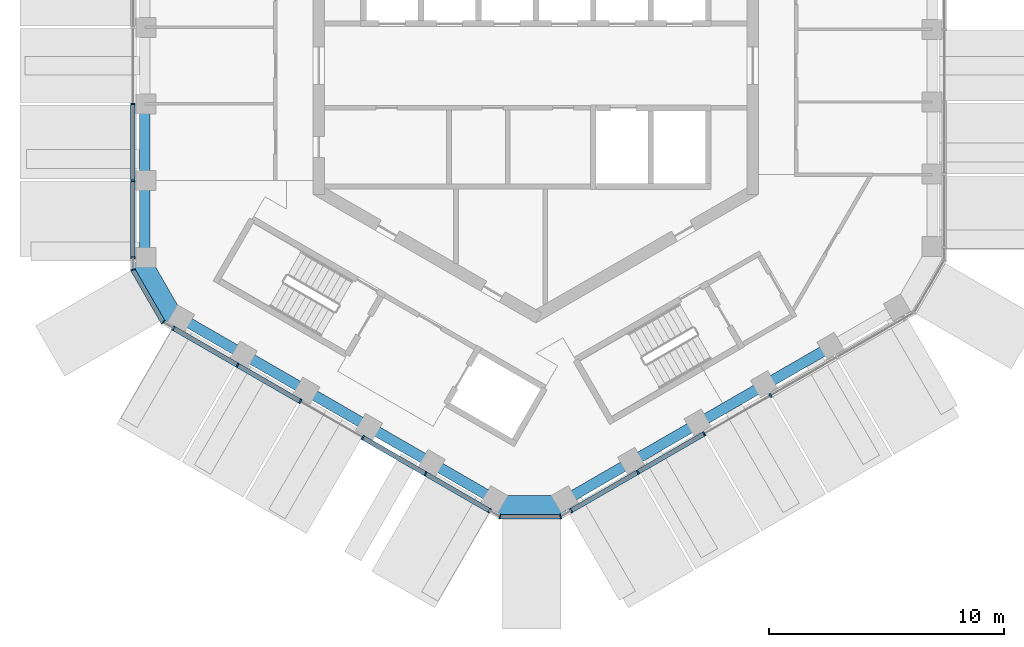
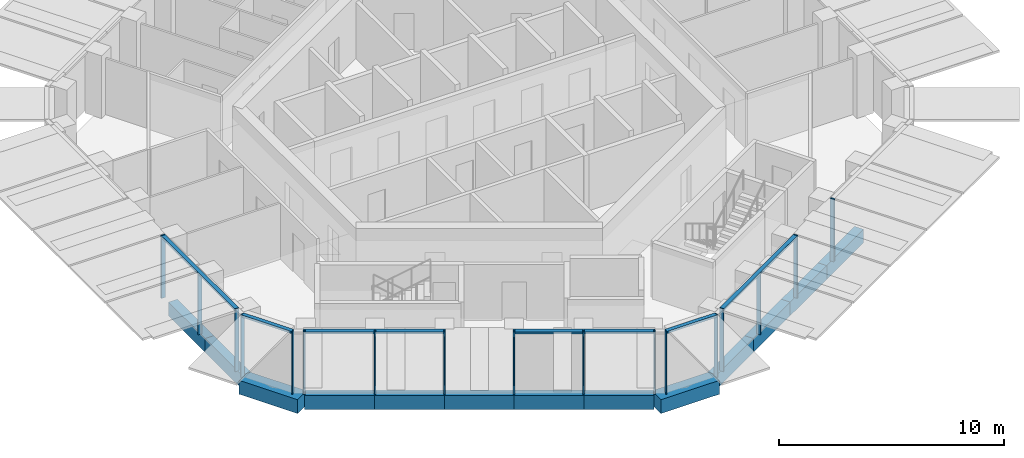
# One storey, part 2 of 17: 23 members, 13 beams, 5 elements without a shape of their own.
"""IFC4 building model written with IfcOpenShell, lengths in metres."""

from ifc_helpers import new_model, si_unit, direction, frame, origin, origin_2d, place, context, subcontext, project, spatial, rectangle, extrude, material, layer, layer_set, material_profile, profile_set, type_object, element, aggregate, save


model = new_model("IFC4")

# Units and contexts
model_context = context("Model", 3, precision=1e-05, world=origin(), true_north=direction((0.0, 1.0)))
body_context = subcontext(model_context, "Body", "Model", "MODEL_VIEW")
ifc_project = project(units=[si_unit("LENGTHUNIT", "METRE"), si_unit("AREAUNIT", "SQUARE_METRE"), si_unit("VOLUMEUNIT", "CUBIC_METRE"), si_unit("PLANEANGLEUNIT", "RADIAN"), si_unit("MASSUNIT", "GRAM", prefix="KILO")], contexts=[model_context])

# Site, building, storey
site_placement = place(None, origin())
site = spatial("IfcSite", under=ifc_project, at=site_placement, CompositionType="ELEMENT")
building_placement = place(site_placement, origin())
building = spatial("IfcBuilding", under=site, at=building_placement, Name="Ayvan Gate Tower", CompositionType="ELEMENT")
storey_placement = place(building_placement, frame((0.0, 0.0, 232.5)))
storey = spatial("IfcBuildingStorey", under=building, at=storey_placement, Name="L62", CompositionType="ELEMENT", Elevation=232.5)

# Beams
ifc_material_1 = material(Name="Concrete C40/50", Category="concrete")
ifc_material_profile_1 = material_profile(ifc_material_1, rectangle(XDim=0.800048828125, YDim=0.75, at=origin_2d()), Name="RC 800x750")
ifc_profile_set_1 = profile_set([ifc_material_profile_1], Name="Concrete C40/50")
beam_type_1 = type_object("IfcBeamType", Name="Corner spandrel beam RC 800x750 C40/50", PredefinedType="BEAM", material=ifc_profile_set_1)
beam_1_placement = place(storey_placement, frame((-16.853271484375, -8.2578125, -0.72509765625), z_axis=(0.50002537861, -0.866010750942, 0.0), x_axis=(0.866010750942, 0.50002537861, 0.0)))
element("IfcBeam", 1, at=beam_1_placement, inside=storey, type_object=beam_type_1, Name="SB-L62-24", PredefinedType="BEAM", context=body_context, shape_type="SweptSolid", body=[
    extrude(rectangle(XDim=0.800048828125, YDim=0.75, at=origin_2d()), origin(), (0.0, 0.0, 1.0), 2.999755859375),
])
beam_2_placement = place(storey_placement, frame((-1.724853515625, -18.72412109375, -0.72509765625), z_axis=(1.0, 0.0, 0.0), x_axis=(0.0, 1.0, 0.0)))
element("IfcBeam", 2, at=beam_2_placement, inside=storey, type_object=beam_type_1, Name="SB-L62-30", PredefinedType="BEAM", context=body_context, shape_type="SweptSolid", body=[
    extrude(rectangle(XDim=0.800048828125, YDim=0.75, at=origin_2d()), origin(), (0.0, 0.0, 1.0), 3.0),
])
ifc_material_profile_2 = material_profile(ifc_material_1, rectangle(XDim=0.449951171875, YDim=0.75, at=origin_2d()), Name="RC 450x750")
ifc_profile_set_2 = profile_set([ifc_material_profile_2], Name="Concrete C40/50")
beam_type_2 = type_object("IfcBeamType", Name="Spandrel beam RC 450x750 C40/50", PredefinedType="BEAM", material=ifc_profile_set_2)
for number, where, z_axis, x_axis, name in (
    (3, (-16.662841796875, -1.629638671875, -0.72509765625), (0.0, -1.0, 0.0), (1.0, 0.0, 0.0), "SB-L62-22"),
    (4, (-16.662841796875, -4.888671875, -0.72509765625), (0.0, -1.0, 0.0), (1.0, 0.0, 0.0), "SB-L62-23"),
):
    element("IfcBeam", number, at=place(storey_placement, frame(where, z_axis=z_axis, x_axis=x_axis)), inside=storey, type_object=beam_type_2, Name=name, PredefinedType="BEAM", context=body_context, shape_type="SweptSolid", body=[
        extrude(rectangle(XDim=0.449951171875, YDim=0.75, at=origin_2d()), origin(), (0.0, 0.0, 1.0), 3.259033203125),
    ])
beam_3_placement = place(storey_placement, frame((-15.162841796875, -10.745849609375, -0.72509765625), z_axis=(0.866061139042, -0.49993809961, 0.0), x_axis=(0.49993809961, 0.866061139042, 0.0)))
element("IfcBeam", 5, at=beam_3_placement, inside=storey, type_object=beam_type_2, Name="SB-L62-25", PredefinedType="BEAM", context=body_context, shape_type="SweptSolid", body=[
    extrude(rectangle(XDim=0.449951171875, YDim=0.75, at=origin_2d()), origin(), (0.0, 0.0, 1.0), 3.103515625),
])
beam_4_placement = place(storey_placement, frame((-12.47509765625, -12.29736328125, -0.72509765625), z_axis=(0.866007408613, -0.500031167255, 0.0), x_axis=(0.500031167255, 0.866007408613, 0.0)))
element("IfcBeam", 6, at=beam_4_placement, inside=storey, type_object=beam_type_2, Name="SB-L62-26", PredefinedType="BEAM", context=body_context, shape_type="SweptSolid", body=[
    extrude(rectangle(XDim=0.449951171875, YDim=0.75, at=origin_2d()), origin(), (0.0, 0.0, 1.0), 3.103271484375),
])
beam_5_placement = place(storey_placement, frame((-9.78759765625, -13.84912109375, -0.72509765625), z_axis=(0.866027076738, -0.499997102348, 0.0), x_axis=(0.499997102348, 0.866027076738, 0.0)))
element("IfcBeam", 7, at=beam_5_placement, inside=storey, type_object=beam_type_2, Name="SB-L62-27", PredefinedType="BEAM", context=body_context, shape_type="SweptSolid", body=[
    extrude(rectangle(XDim=0.449951171875, YDim=0.75, at=origin_2d()), origin(), (0.0, 0.0, 1.0), 3.103515625),
])
for number, where, z_axis, x_axis, name in (
    (8, (-7.099853515625, -15.40087890625, -0.72509765625), (0.866007408613, -0.500031167255, 0.0), (0.500031167255, 0.866007408613, 0.0), "SB-L62-28"),
    (9, (-4.412353515625, -16.95263671875, -0.72509765625), (0.866041474785, -0.499972163178, 0.0), (0.499972163178, 0.866041474785, 0.0), "SB-L62-29"),
):
    element("IfcBeam", number, at=place(storey_placement, frame(where, z_axis=z_axis, x_axis=x_axis)), inside=storey, type_object=beam_type_2, Name=name, PredefinedType="BEAM", context=body_context, shape_type="SweptSolid", body=[
        extrude(rectangle(XDim=0.449951171875, YDim=0.75, at=origin_2d()), origin(), (0.0, 0.0, 1.0), 3.103271484375),
    ])
beam_6_placement = place(storey_placement, frame((1.275146484375, -18.504150390625, -0.72509765625), z_axis=(0.866049616169, 0.499958060575, 0.0), x_axis=(-0.499958060575, 0.866049616169, 0.0)))
element("IfcBeam", 10, at=beam_6_placement, inside=storey, type_object=beam_type_2, Name="SB-L62-31", PredefinedType="BEAM", context=body_context, shape_type="SweptSolid", body=[
    extrude(rectangle(XDim=0.449951171875, YDim=0.75, at=origin_2d()), origin(), (0.0, 0.0, 1.0), 3.259033203125),
])
beam_7_placement = place(storey_placement, frame((4.09765625, -16.874755859375, -0.72509765625), z_axis=(0.866017179828, 0.50001424404, 0.0), x_axis=(-0.50001424404, 0.866017179828, 0.0)))
element("IfcBeam", 11, at=beam_7_placement, inside=storey, type_object=beam_type_2, Name="SB-L62-32", PredefinedType="BEAM", context=body_context, shape_type="SweptSolid", body=[
    extrude(rectangle(XDim=0.449951171875, YDim=0.75, at=origin_2d()), origin(), (0.0, 0.0, 1.0), 3.25927734375),
])
for number, where, z_axis, x_axis, name in (
    (12, (6.920166015625, -15.2451171875, -0.72509765625), (0.866049616169, 0.499958060575, 0.0), (-0.499958060575, 0.866049616169, 0.0), "SB-L62-33"),
    (13, (9.74267578125, -13.61572265625, -0.72509765625), (0.865998449813, 0.500046682742, 0.0), (-0.500046682742, 0.865998449813, 0.0), "SB-L62-34"),
):
    element("IfcBeam", number, at=place(storey_placement, frame(where, z_axis=z_axis, x_axis=x_axis)), inside=storey, type_object=beam_type_2, Name=name, PredefinedType="BEAM", context=body_context, shape_type="SweptSolid", body=[
        extrude(rectangle(XDim=0.449951171875, YDim=0.75, at=origin_2d()), origin(), (0.0, 0.0, 1.0), 3.259033203125),
    ])

# Curtain wall, members
ifc_material_2 = material(Name="Bronze anodised aluminium", Category="aluminium")
ifc_layer_1 = layer(ifc_material_2, 0.199951171875)
ifc_layer_set_1 = layer_set([ifc_layer_1], Name="Bronze anodised aluminium")
curtain_wall_type_1 = type_object("IfcCurtainWallType", Name="Stick curtain wall CW-2", PredefinedType="NOTDEFINED", material=ifc_layer_set_1)
curtain_wall_1_placement = place(storey_placement, origin())
curtain_wall_1 = element("IfcCurtainWall", 14, at=curtain_wall_1_placement, inside=storey, type_object=curtain_wall_type_1, Name="Stick curtain wall CW-2 L62", PredefinedType="NOTDEFINED")
ifc_material_profile_3 = material_profile(ifc_material_2, rectangle(XDim=0.199951171875, YDim=0.070068359375, at=origin_2d()), Name="Stick curtain wall CW-2 mullion 200 x 70")
ifc_profile_set_3 = profile_set([ifc_material_profile_3], Name="Bronze anodised aluminium")
member_type_1 = type_object("IfcMemberType", Name="Stick curtain wall CW-2 mullion 200 x 70", PredefinedType="MULLION", material=ifc_profile_set_3)
member_1_placement = place(storey_placement, frame((-17.175048828125, -1.634765625, 0.0), z_axis=(0.0, 0.0, 1.0), x_axis=(-1.0, 0.0, 0.0)))
member_1 = element("IfcMember", 15, at=member_1_placement, type_object=member_type_1, Name="CW-2 mullion 4", PredefinedType="MULLION", context=body_context, shape_type="SweptSolid", body=[
    extrude(rectangle(XDim=0.199951171875, YDim=0.070068359375, at=origin_2d()), origin(), (0.0, 0.0, 1.0), 3.39990234375),
])
member_2_placement = place(storey_placement, frame((-17.175048828125, -4.90283203125, 0.0), z_axis=(0.0, 0.0, 1.0), x_axis=(-1.0, 0.0, 0.0)))
member_2 = element("IfcMember", 16, at=member_2_placement, type_object=member_type_1, Name="CW-2 mullion 5", PredefinedType="MULLION", context=body_context, shape_type="SweptSolid", body=[
    extrude(rectangle(XDim=0.199951171875, YDim=0.070068359375, at=origin_2d()), origin(), (0.0, 0.0, 1.0), 3.39990234375),
])
member_3_placement = place(storey_placement, frame((-17.175048828125, -8.189208984375, 0.0), z_axis=(0.0, 0.0, 1.0), x_axis=(-1.0, 0.0, 0.0)))
member_3 = element("IfcMember", 17, at=member_3_placement, type_object=member_type_1, Name="CW-2 mullion 6", PredefinedType="MULLION", context=body_context, shape_type="SweptSolid", body=[
    extrude(rectangle(XDim=0.199951171875, YDim=0.070068359375, at=origin_2d()), origin(), (0.0, 0.0, 1.0), 3.39990234375),
])

curtain_wall_2_placement = place(storey_placement, origin())
curtain_wall_2 = element("IfcCurtainWall", 18, at=curtain_wall_2_placement, inside=storey, type_object=curtain_wall_type_1, Name="Stick curtain wall CW-2 L62", PredefinedType="NOTDEFINED")
member_4_placement = place(storey_placement, frame((-15.442138671875, -11.190673828125, 0.0), z_axis=(0.0, 0.0, 1.0), x_axis=(-0.5, -0.866025403784, 0.0)))
member_4 = element("IfcMember", 19, at=member_4_placement, type_object=member_type_1, Name="CW-2 mullion 1", PredefinedType="MULLION", context=body_context, shape_type="SweptSolid", body=[
    extrude(rectangle(XDim=0.199951171875, YDim=0.070068359375, at=origin_2d()), origin(), (0.0, 0.0, 1.0), 3.39990234375),
])
member_5_placement = place(storey_placement, frame((-12.71240234375, -12.7666015625, 0.0), z_axis=(0.0, 0.0, 1.0), x_axis=(-0.5, -0.866025403784, 0.0)))
member_5 = element("IfcMember", 20, at=member_5_placement, type_object=member_type_1, Name="CW-2 mullion 2", PredefinedType="MULLION", context=body_context, shape_type="SweptSolid", body=[
    extrude(rectangle(XDim=0.199951171875, YDim=0.070068359375, at=origin_2d()), origin(), (0.0, 0.0, 1.0), 3.39990234375),
])
member_6_placement = place(storey_placement, frame((-10.04150390625, -14.30859375, 0.0), z_axis=(0.0, 0.0, 1.0), x_axis=(-0.5, -0.866025403784, 0.0)))
member_6 = element("IfcMember", 21, at=member_6_placement, type_object=member_type_1, Name="CW-2 mullion 3", PredefinedType="MULLION", context=body_context, shape_type="SweptSolid", body=[
    extrude(rectangle(XDim=0.199951171875, YDim=0.070068359375, at=origin_2d()), origin(), (0.0, 0.0, 1.0), 3.39990234375),
])
member_7_placement = place(storey_placement, frame((-7.370849609375, -15.8505859375, 0.0), z_axis=(0.0, 0.0, 1.0), x_axis=(-0.5, -0.866025403784, 0.0)))
member_7 = element("IfcMember", 22, at=member_7_placement, type_object=member_type_1, Name="CW-2 mullion 4", PredefinedType="MULLION", context=body_context, shape_type="SweptSolid", body=[
    extrude(rectangle(XDim=0.199951171875, YDim=0.070068359375, at=origin_2d()), origin(), (0.0, 0.0, 1.0), 3.39990234375),
])
member_8_placement = place(storey_placement, frame((-4.699951171875, -17.392578125, 0.0), z_axis=(0.0, 0.0, 1.0), x_axis=(-0.5, -0.866025403784, 0.0)))
member_8 = element("IfcMember", 23, at=member_8_placement, type_object=member_type_1, Name="CW-2 mullion 5", PredefinedType="MULLION", context=body_context, shape_type="SweptSolid", body=[
    extrude(rectangle(XDim=0.199951171875, YDim=0.070068359375, at=origin_2d()), origin(), (0.0, 0.0, 1.0), 3.39990234375),
])
member_9_placement = place(storey_placement, frame((-1.970458984375, -18.96875, 0.0), z_axis=(0.0, 0.0, 1.0), x_axis=(-0.5, -0.866025403784, 0.0)))
member_9 = element("IfcMember", 24, at=member_9_placement, type_object=member_type_1, Name="CW-2 mullion 6", PredefinedType="MULLION", context=body_context, shape_type="SweptSolid", body=[
    extrude(rectangle(XDim=0.199951171875, YDim=0.070068359375, at=origin_2d()), origin(), (0.0, 0.0, 1.0), 3.39990234375),
])

curtain_wall_3_placement = place(storey_placement, origin())
curtain_wall_3 = element("IfcCurtainWall", 25, at=curtain_wall_3_placement, inside=storey, type_object=curtain_wall_type_1, Name="Stick curtain wall CW-2 L62", PredefinedType="NOTDEFINED")
member_10_placement = place(storey_placement, frame((1.49560546875, -18.96875, 0.0), z_axis=(0.0, 0.0, 1.0), x_axis=(0.5, -0.866025403784, 0.0)))
member_10 = element("IfcMember", 26, at=member_10_placement, type_object=member_type_1, Name="CW-2 mullion 1", PredefinedType="MULLION", context=body_context, shape_type="SweptSolid", body=[
    extrude(rectangle(XDim=0.199951171875, YDim=0.070068359375, at=origin_2d()), origin(), (0.0, 0.0, 1.0), 3.39990234375),
])
member_11_placement = place(storey_placement, frame((4.34130859375, -17.32568359375, 0.0), z_axis=(0.0, 0.0, 1.0), x_axis=(0.5, -0.866025403784, 0.0)))
member_11 = element("IfcMember", 27, at=member_11_placement, type_object=member_type_1, Name="CW-2 mullion 2", PredefinedType="MULLION", context=body_context, shape_type="SweptSolid", body=[
    extrude(rectangle(XDim=0.199951171875, YDim=0.070068359375, at=origin_2d()), origin(), (0.0, 0.0, 1.0), 3.39990234375),
])
member_12_placement = place(storey_placement, frame((7.17236328125, -15.691162109375, 0.0), z_axis=(0.0, 0.0, 1.0), x_axis=(0.5, -0.866025403784, 0.0)))
member_12 = element("IfcMember", 28, at=member_12_placement, type_object=member_type_1, Name="CW-2 mullion 3", PredefinedType="MULLION", context=body_context, shape_type="SweptSolid", body=[
    extrude(rectangle(XDim=0.199951171875, YDim=0.070068359375, at=origin_2d()), origin(), (0.0, 0.0, 1.0), 3.39990234375),
])
member_13_placement = place(storey_placement, frame((10.00341796875, -14.056640625, 0.0), z_axis=(0.0, 0.0, 1.0), x_axis=(0.5, -0.866025403784, 0.0)))
member_13 = element("IfcMember", 29, at=member_13_placement, type_object=member_type_1, Name="CW-2 mullion 4", PredefinedType="MULLION", context=body_context, shape_type="SweptSolid", body=[
    extrude(rectangle(XDim=0.199951171875, YDim=0.070068359375, at=origin_2d()), origin(), (0.0, 0.0, 1.0), 3.39990234375),
])

# Member
ifc_material_profile_4 = material_profile(ifc_material_2, rectangle(XDim=0.199951171875, YDim=0.1201171875, at=origin_2d()), Name="Stick curtain wall CW-2 transom 200 x 120")
ifc_profile_set_4 = profile_set([ifc_material_profile_4], Name="Bronze anodised aluminium")
member_type_2 = type_object("IfcMemberType", Name="Stick curtain wall CW-2 transom 200 x 120", PredefinedType="USERDEFINED", material=ifc_profile_set_4)
member_14_placement = place(storey_placement, frame((-17.175048828125, -1.669921875, 3.340087890625), z_axis=(0.0, -1.0, 0.0), x_axis=(1.0, 0.0, 0.0)))
member_14 = element("IfcMember", 30, at=member_14_placement, type_object=member_type_2, Name="CW-2 transom 2", ObjectType="TRANSOM", PredefinedType="USERDEFINED", context=body_context, shape_type="SweptSolid", body=[
    extrude(rectangle(XDim=0.199951171875, YDim=0.1201171875, at=origin_2d()), origin(), (0.0, 0.0, 1.0), 6.519287109375),
])

aggregate(curtain_wall_1, [member_1, member_2, member_3, member_14])

member_15_placement = place(storey_placement, frame((-15.442138671875, -11.190673828125, 3.340087890625), z_axis=(0.86601511528, -0.500017819788, 0.0), x_axis=(0.500017819788, 0.86601511528, 0.0)))
member_15 = element("IfcMember", 31, at=member_15_placement, type_object=member_type_2, Name="CW-2 transom 1", ObjectType="TRANSOM", PredefinedType="USERDEFINED", context=body_context, shape_type="SweptSolid", body=[
    extrude(rectangle(XDim=0.199951171875, YDim=0.1201171875, at=origin_2d()), origin(), (0.0, 0.0, 1.0), 6.200927734375),
])

member_16_placement = place(storey_placement, frame((-7.340576171875, -15.8681640625, 3.340087890625), z_axis=(0.86601511528, -0.500017819788, 0.0), x_axis=(0.500017819788, 0.86601511528, 0.0)))
member_16 = element("IfcMember", 32, at=member_16_placement, type_object=member_type_2, Name="CW-2 transom 2", ObjectType="TRANSOM", PredefinedType="USERDEFINED", context=body_context, shape_type="SweptSolid", body=[
    extrude(rectangle(XDim=0.199951171875, YDim=0.1201171875, at=origin_2d()), origin(), (0.0, 0.0, 1.0), 6.200927734375),
])

aggregate(curtain_wall_2, [member_4, member_5, member_6, member_7, member_8, member_9, member_15, member_16])

member_17_placement = place(storey_placement, frame((1.49560546875, -18.96875, 3.340087890625), z_axis=(0.866024706996, 0.500001206871, 0.0), x_axis=(-0.500001206871, 0.866024706996, 0.0)))
member_17 = element("IfcMember", 33, at=member_17_placement, type_object=member_type_2, Name="CW-2 transom 1", ObjectType="TRANSOM", PredefinedType="USERDEFINED", context=body_context, shape_type="SweptSolid", body=[
    extrude(rectangle(XDim=0.199951171875, YDim=0.1201171875, at=origin_2d()), origin(), (0.0, 0.0, 1.0), 6.52001953125),
])

aggregate(curtain_wall_3, [member_10, member_11, member_12, member_13, member_17])

# Curtain wall, members
ifc_layer_2 = layer(ifc_material_2, 0.199951171875)
ifc_layer_set_2 = layer_set([ifc_layer_2], Name="Bronze anodised aluminium")
curtain_wall_type_2 = type_object("IfcCurtainWallType", Name="Stick curtain wall CW-6", PredefinedType="NOTDEFINED", material=ifc_layer_set_2)
curtain_wall_4_placement = place(storey_placement, origin())
curtain_wall_4 = element("IfcCurtainWall", 34, at=curtain_wall_4_placement, inside=storey, type_object=curtain_wall_type_2, Name="Stick curtain wall CW-6 L62", PredefinedType="NOTDEFINED")
ifc_material_profile_5 = material_profile(ifc_material_2, rectangle(XDim=0.199951171875, YDim=0.050048828125, at=origin_2d()), Name="Stick curtain wall CW-6 mullion 200 x 50")
ifc_profile_set_5 = profile_set([ifc_material_profile_5], Name="Bronze anodised aluminium")
member_type_3 = type_object("IfcMemberType", Name="Stick curtain wall CW-6 mullion 200 x 50", PredefinedType="MULLION", material=ifc_profile_set_5)
member_18_placement = place(storey_placement, frame((-17.175048828125, -8.69921875, 0.0), z_axis=(0.0, 0.0, 1.0), x_axis=(-0.965925826289, -0.258819045103, 0.0)))
member_18 = element("IfcMember", 35, at=member_18_placement, type_object=member_type_3, Name="CW-6 mullion 2", PredefinedType="MULLION", context=body_context, shape_type="SweptSolid", body=[
    extrude(rectangle(XDim=0.199951171875, YDim=0.050048828125, at=origin_2d()), origin(), (0.0, 0.0, 1.0), 3.39990234375),
])
member_19_placement = place(storey_placement, frame((-15.8837890625, -10.935791015625, 0.0), z_axis=(0.0, 0.0, 1.0), x_axis=(-0.707106781187, -0.707106781187, 0.0)))
member_19 = element("IfcMember", 36, at=member_19_placement, type_object=member_type_3, Name="CW-6 mullion 3", PredefinedType="MULLION", context=body_context, shape_type="SweptSolid", body=[
    extrude(rectangle(XDim=0.199951171875, YDim=0.050048828125, at=origin_2d()), origin(), (0.0, 0.0, 1.0), 3.39990234375),
])

curtain_wall_5_placement = place(storey_placement, origin())
curtain_wall_5 = element("IfcCurtainWall", 37, at=curtain_wall_5_placement, inside=storey, type_object=curtain_wall_type_2, Name="Stick curtain wall CW-6 L62", PredefinedType="NOTDEFINED")
member_20_placement = place(storey_placement, frame((-1.528564453125, -19.2236328125, 0.0), z_axis=(0.0, 0.0, 1.0), x_axis=(-0.258819045103, -0.965925826289, 0.0)))
member_20 = element("IfcMember", 38, at=member_20_placement, type_object=member_type_3, Name="CW-6 mullion 2", PredefinedType="MULLION", context=body_context, shape_type="SweptSolid", body=[
    extrude(rectangle(XDim=0.199951171875, YDim=0.050048828125, at=origin_2d()), origin(), (0.0, 0.0, 1.0), 3.39990234375),
])
member_21_placement = place(storey_placement, frame((1.053955078125, -19.2236328125, 0.0), z_axis=(0.0, 0.0, 1.0), x_axis=(0.258819045103, -0.965925826289, 0.0)))
member_21 = element("IfcMember", 39, at=member_21_placement, type_object=member_type_3, Name="CW-6 mullion 3", PredefinedType="MULLION", context=body_context, shape_type="SweptSolid", body=[
    extrude(rectangle(XDim=0.199951171875, YDim=0.050048828125, at=origin_2d()), origin(), (0.0, 0.0, 1.0), 3.39990234375),
])

# Member
ifc_material_profile_6 = material_profile(ifc_material_2, rectangle(XDim=0.199951171875, YDim=0.1201171875, at=origin_2d()), Name="Stick curtain wall CW-6 transom 200 x 120")
ifc_profile_set_6 = profile_set([ifc_material_profile_6], Name="Bronze anodised aluminium")
member_type_4 = type_object("IfcMemberType", Name="Stick curtain wall CW-6 transom 200 x 120", PredefinedType="USERDEFINED", material=ifc_profile_set_6)
member_22_placement = place(storey_placement, frame((-17.16259765625, -8.720703125, 3.340087890625), z_axis=(0.500006158363, -0.866021848223, 0.0), x_axis=(0.866021848223, 0.500006158363, 0.0)))
member_22 = element("IfcMember", 40, at=member_22_placement, type_object=member_type_4, Name="CW-6 transom 2", ObjectType="TRANSOM", PredefinedType="USERDEFINED", context=body_context, shape_type="SweptSolid", body=[
    extrude(rectangle(XDim=0.199951171875, YDim=0.1201171875, at=origin_2d()), origin(), (0.0, 0.0, 1.0), 2.53271484375),
])

aggregate(curtain_wall_4, [member_18, member_19, member_22])

member_23_placement = place(storey_placement, frame((-1.503662109375, -19.2236328125, 3.340087890625), z_axis=(1.0, 0.0, 0.0), x_axis=(0.0, 1.0, 0.0)))
member_23 = element("IfcMember", 41, at=member_23_placement, type_object=member_type_4, Name="CW-6 transom 2", ObjectType="TRANSOM", PredefinedType="USERDEFINED", context=body_context, shape_type="SweptSolid", body=[
    extrude(rectangle(XDim=0.199951171875, YDim=0.1201171875, at=origin_2d()), origin(), (0.0, 0.0, 1.0), 2.532470703125),
])

aggregate(curtain_wall_5, [member_20, member_21, member_23])

save(model, "model.ifc")
